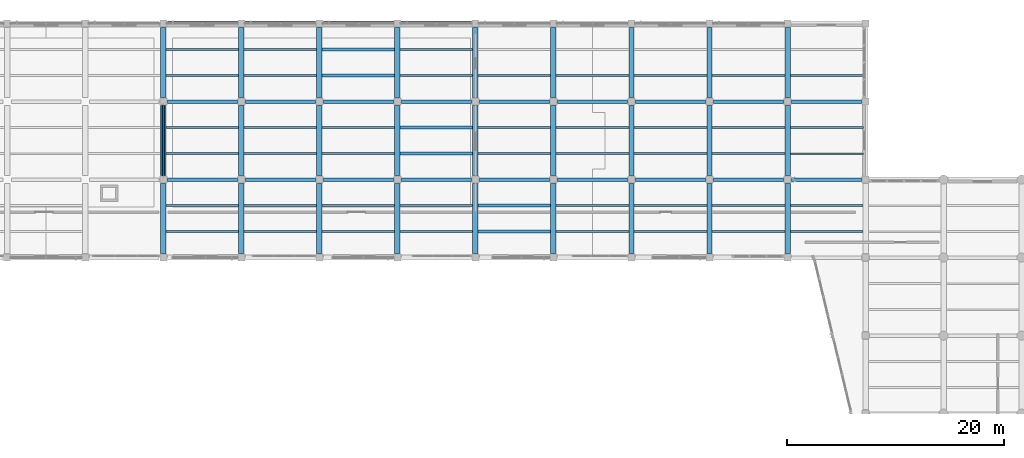
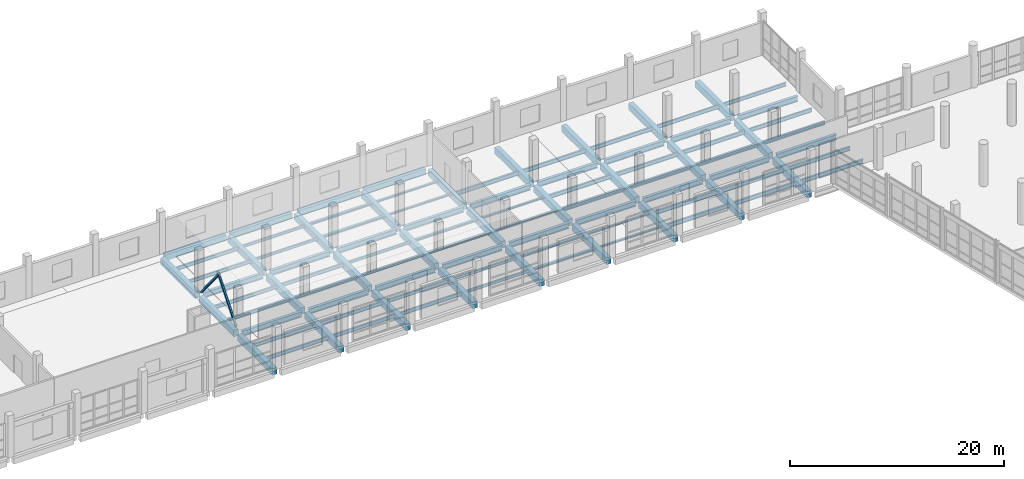
# One storey, part 59 of 127: 98 beams, 2 members.
"""IFC4 building model written with IfcOpenShell, lengths in metres."""

from ifc_helpers import new_model, si_unit, direction, frame, origin, origin_2d, place, context, subcontext, project, spatial, rectangle, hollow_rectangle, i_section, extrude, material, material_profile, profile_set, type_object, element, save


model = new_model("IFC4")

# Units and contexts
model_context = context("Model", 3, precision=1e-05, world=origin(), true_north=direction((0.0, 1.0)))
body_context = subcontext(model_context, "Body", "Model", "MODEL_VIEW")
ifc_project = project(units=[si_unit("LENGTHUNIT", "METRE"), si_unit("AREAUNIT", "SQUARE_METRE"), si_unit("VOLUMEUNIT", "CUBIC_METRE"), si_unit("PLANEANGLEUNIT", "RADIAN"), si_unit("MASSUNIT", "GRAM", prefix="KILO")], contexts=[model_context])

# Site, building, storey
site_placement = place(None, origin())
site = spatial("IfcSite", under=ifc_project, at=site_placement, CompositionType="ELEMENT")
building_placement = place(site_placement, origin())
building = spatial("IfcBuilding", under=site, at=building_placement, Name="Kalmorath City Hall", CompositionType="ELEMENT")
storey_placement = place(building_placement, frame((0.0, 0.0, 5.39990234375)))
storey = spatial("IfcBuildingStorey", under=building, at=storey_placement, Name="L01", CompositionType="ELEMENT", Elevation=5.39990234375)

# Beams
ifc_material_1 = material(Name="Concrete C40/50", Category="concrete")
ifc_material_profile_1 = material_profile(ifc_material_1, rectangle(XDim=0.5, YDim=0.75, at=origin_2d()), Name="RC-BM-500X750")
ifc_profile_set_1 = profile_set([ifc_material_profile_1], Name="Concrete C40/50")
beam_type_1 = type_object("IfcBeamType", Name="Concrete floor beam 500x750", PredefinedType="BEAM", material=ifc_profile_set_1)
for number, where, z_axis, x_axis, name in (
    (1, (64.800048828125, 93.97509765625, -0.698974609375), (0.0, 1.0, 0.0), (-1.0, 0.0, 0.0), "L01 girder CB3 Y10/14-15"),
    (2, (64.800048828125, 101.175048828125, -0.698974609375), (0.0, 1.0, 0.0), (-1.0, 0.0, 0.0), "L01 girder CB3 Y10/15-16"),
    (3, (64.800048828125, 108.375, -0.698974609375), (0.0, 1.0, 0.0), (-1.0, 0.0, 0.0), "L01 girder CB3 Y10/16-17"),
    (4, (72.0, 93.97509765625, -0.698974609375), (0.0, 1.0, 0.0), (-1.0, 0.0, 0.0), "L01 girder CB3 Y11/14-15"),
    (5, (72.0, 101.175048828125, -0.698974609375), (0.0, 1.0, 0.0), (-1.0, 0.0, 0.0), "L01 girder CB3 Y11/15-16"),
    (6, (72.0, 108.375, -0.698974609375), (0.0, 1.0, 0.0), (-1.0, 0.0, 0.0), "L01 girder CB3 Y11/16-17"),
    (7, (79.199951171875, 93.97509765625, -0.698974609375), (0.0, 1.0, 0.0), (-1.0, 0.0, 0.0), "L01 girder CB3 Y12/14-15"),
    (8, (79.199951171875, 101.175048828125, -0.698974609375), (0.0, 1.0, 0.0), (-1.0, 0.0, 0.0), "L01 girder CB3 Y12/15-16"),
    (9, (79.199951171875, 108.375, -0.698974609375), (0.0, 1.0, 0.0), (-1.0, 0.0, 0.0), "L01 girder CB3 Y12/16-17"),
    (10, (86.39990234375, 93.97509765625, -0.698974609375), (0.0, 1.0, 0.0), (-1.0, 0.0, 0.0), "L01 girder CB3 Y13/14-15"),
    (11, (86.39990234375, 101.175048828125, -0.698974609375), (0.0, 1.0, 0.0), (-1.0, 0.0, 0.0), "L01 girder CB3 Y13/15-16"),
    (12, (86.39990234375, 108.375, -0.698974609375), (0.0, 1.0, 0.0), (-1.0, 0.0, 0.0), "L01 girder CB3 Y13/16-17"),
    (13, (93.60009765625, 93.97509765625, -0.698974609375), (0.0, 1.0, 0.0), (-1.0, 0.0, 0.0), "L01 girder CB3 Y14/14-15"),
    (14, (93.60009765625, 101.175048828125, -0.698974609375), (0.0, 1.0, 0.0), (-1.0, 0.0, 0.0), "L01 girder CB3 Y14/15-16"),
    (15, (93.60009765625, 108.375, -0.698974609375), (0.0, 1.0, 0.0), (-1.0, 0.0, 0.0), "L01 girder CB3 Y14/16-17"),
    (16, (100.800048828125, 93.97509765625, -0.698974609375), (0.0, 1.0, 0.0), (-1.0, 0.0, 0.0), "L01 girder CB3 Y15/14-15"),
    (17, (100.800048828125, 101.175048828125, -0.698974609375), (0.0, 1.0, 0.0), (-1.0, 0.0, 0.0), "L01 girder CB3 Y15/15-16"),
    (18, (100.800048828125, 108.375, -0.698974609375), (0.0, 1.0, 0.0), (-1.0, 0.0, 0.0), "L01 girder CB3 Y15/16-17"),
    (19, (108.0, 93.97509765625, -0.698974609375), (0.0, 1.0, 0.0), (-1.0, 0.0, 0.0), "L01 girder CB3 Y16/14-15"),
    (20, (108.0, 101.175048828125, -0.698974609375), (0.0, 1.0, 0.0), (-1.0, 0.0, 0.0), "L01 girder CB3 Y16/15-16"),
    (21, (108.0, 108.375, -0.698974609375), (0.0, 1.0, 0.0), (-1.0, 0.0, 0.0), "L01 girder CB3 Y16/16-17"),
    (22, (115.199951171875, 93.97509765625, -0.698974609375), (0.0, 1.0, 0.0), (-1.0, 0.0, 0.0), "L01 girder CB3 Y17/14-15"),
    (23, (115.199951171875, 101.175048828125, -0.698974609375), (0.0, 1.0, 0.0), (-1.0, 0.0, 0.0), "L01 girder CB3 Y17/15-16"),
    (24, (115.199951171875, 108.375, -0.698974609375), (0.0, 1.0, 0.0), (-1.0, 0.0, 0.0), "L01 girder CB3 Y17/16-17"),
    (25, (122.39990234375, 93.97509765625, -0.698974609375), (0.0, 1.0, 0.0), (-1.0, 0.0, 0.0), "L01 girder CB3 Y18/14-15"),
    (26, (122.39990234375, 101.175048828125, -0.698974609375), (0.0, 1.0, 0.0), (-1.0, 0.0, 0.0), "L01 girder CB3 Y18/15-16"),
    (27, (122.39990234375, 108.375, -0.698974609375), (0.0, 1.0, 0.0), (-1.0, 0.0, 0.0), "L01 girder CB3 Y18/16-17"),
):
    element("IfcBeam", number, at=place(storey_placement, frame(where, z_axis=z_axis, x_axis=x_axis)), inside=storey, type_object=beam_type_1, Name=name, PredefinedType="BEAM", context=body_context, shape_type="SweptSolid", body=[
        extrude(rectangle(XDim=0.5, YDim=0.75, at=origin_2d()), origin(), (0.0, 0.0, 1.0), 6.449951171875),
    ])
ifc_material_2 = material(Name="Concrete C40/50", Category="concrete")
ifc_material_profile_2 = material_profile(ifc_material_2, rectangle(XDim=0.449951171875, YDim=0.64990234375, at=origin_2d()), Name="RC-BM-450X650")
ifc_profile_set_2 = profile_set([ifc_material_profile_2], Name="Concrete C40/50")
beam_type_2 = type_object("IfcBeamType", Name="Concrete spandrel beam 450x650", PredefinedType="SPANDREL", material=ifc_profile_set_2)
for number, where, z_axis, x_axis, name in (
    (28, (65.175048828125, 115.199951171875, -0.64892578125), (1.0, 0.0, 0.0), (0.0, 1.0, 0.0), "L01 girder CB5 X10-11/17"),
    (29, (72.25, 115.199951171875, -0.64892578125), (1.0, 0.0, 0.0), (0.0, 1.0, 0.0), "L01 girder CB5 X11-12/17"),
    (30, (79.574951171875, 115.199951171875, -0.64892578125), (1.0, 0.0, 0.0), (0.0, 1.0, 0.0), "L01 girder CB5 X12-13/17"),
):
    element("IfcBeam", number, at=place(storey_placement, frame(where, z_axis=z_axis, x_axis=x_axis)), inside=storey, type_object=beam_type_2, Name=name, PredefinedType="SPANDREL", context=body_context, shape_type="SweptSolid", body=[
        extrude(rectangle(XDim=0.449951171875, YDim=0.64990234375, at=origin_2d()), origin(), (0.0, 0.0, 1.0), 6.574951171875),
    ])
beam_1_placement = place(storey_placement, frame((86.64990234375, 115.199951171875, -0.64892578125), z_axis=(1.0, 0.0, 0.0), x_axis=(0.0, 1.0, 0.0)))
element("IfcBeam", 31, at=beam_1_placement, inside=storey, type_object=beam_type_2, Name="L01 girder CB5 X13-14/17", PredefinedType="SPANDREL", context=body_context, shape_type="SweptSolid", body=[
    extrude(rectangle(XDim=0.449951171875, YDim=0.64990234375, at=origin_2d()), origin(), (0.0, 0.0, 1.0), 6.5751953125),
])
ifc_material_3 = material(Name="Steel ASTM A992 Grade 50", Category="steel")
ifc_material_profile_3 = material_profile(ifc_material_3, i_section(OverallWidth=0.177001953125, OverallDepth=0.403076171875, WebThickness=0.007568359375, FlangeThickness=0.010986328125, FilletRadius=0.012939453125, at=origin_2d()), Name="W16X36")
ifc_profile_set_3 = profile_set([ifc_material_profile_3], Name="Steel ASTM A992 Grade 50")
beam_type_3 = type_object("IfcBeamType", Name="Steel composite joist W16X36", PredefinedType="JOIST", material=ifc_profile_set_3)
for number, where, z_axis, x_axis, name in (
    (32, (65.050048828125, 110.39990234375, -0.525390625), (1.0, 0.0, 0.0), (0.0, 1.0, 0.0), "L01 joist SJ7 10.16.1"),
    (33, (65.050048828125, 112.800048828125, -0.525390625), (1.0, 0.0, 0.0), (0.0, 1.0, 0.0), "L01 joist SJ7 10.16.2"),
    (34, (72.25, 103.199951171875, -0.525390625), (1.0, 0.0, 0.0), (0.0, 1.0, 0.0), "L01 joist SJ7 11.15.1"),
    (35, (72.25, 105.60009765625, -0.525390625), (1.0, 0.0, 0.0), (0.0, 1.0, 0.0), "L01 joist SJ7 11.15.2"),
    (36, (79.449951171875, 96.0, -0.525390625), (1.0, 0.0, 0.0), (0.0, 1.0, 0.0), "L01 joist SJ7 12.14.1"),
    (37, (79.449951171875, 98.39990234375, -0.525390625), (1.0, 0.0, 0.0), (0.0, 1.0, 0.0), "L01 joist SJ7 12.14.2"),
):
    element("IfcBeam", number, at=place(storey_placement, frame(where, z_axis=z_axis, x_axis=x_axis)), inside=storey, type_object=beam_type_3, Name=name, PredefinedType="JOIST", context=body_context, shape_type="SweptSolid", body=[
        extrude(i_section(OverallWidth=0.177001953125, OverallDepth=0.403076171875, WebThickness=0.007568359375, FlangeThickness=0.010986328125, FilletRadius=0.012939453125, at=origin_2d()), origin(), (0.0, 0.0, 1.0), 6.699951171875),
    ])
ifc_material_4 = material(Name="Steel ASTM A992 Grade 50", Category="steel")
ifc_material_profile_4 = material_profile(ifc_material_4, i_section(OverallWidth=0.178955078125, OverallDepth=0.409912109375, WebThickness=0.0087890625, FlangeThickness=0.014404296875, FilletRadius=0.012939453125, at=origin_2d()), Name="W16X45")
ifc_profile_set_4 = profile_set([ifc_material_profile_4], Name="Steel ASTM A992 Grade 50")
beam_type_4 = type_object("IfcBeamType", Name="Steel composite joist W16X45", PredefinedType="JOIST", material=ifc_profile_set_4)
for number, where, z_axis, x_axis, name in (
    (38, (65.050048828125, 103.199951171875, -0.52880859375), (1.0, 0.0, 0.0), (0.0, 1.0, 0.0), "L01 joist SJ6 10.15.1"),
    (39, (65.050048828125, 105.60009765625, -0.52880859375), (1.0, 0.0, 0.0), (0.0, 1.0, 0.0), "L01 joist SJ6 10.15.2"),
    (40, (72.25, 96.0, -0.52880859375), (1.0, 0.0, 0.0), (0.0, 1.0, 0.0), "L01 joist SJ6 11.14.1"),
    (41, (72.25, 98.39990234375, -0.52880859375), (1.0, 0.0, 0.0), (0.0, 1.0, 0.0), "L01 joist SJ6 11.14.2"),
):
    element("IfcBeam", number, at=place(storey_placement, frame(where, z_axis=z_axis, x_axis=x_axis)), inside=storey, type_object=beam_type_4, Name=name, PredefinedType="JOIST", context=body_context, shape_type="SweptSolid", body=[
        extrude(i_section(OverallWidth=0.178955078125, OverallDepth=0.409912109375, WebThickness=0.0087890625, FlangeThickness=0.014404296875, FilletRadius=0.012939453125, at=origin_2d()), origin(), (0.0, 0.0, 1.0), 6.699951171875),
    ])
ifc_material_5 = material(Name="Steel ASTM A992 Grade 50", Category="steel")
ifc_material_profile_5 = material_profile(ifc_material_5, i_section(OverallWidth=0.180908203125, OverallDepth=0.4169921875, WebThickness=0.010986328125, FlangeThickness=0.018310546875, FilletRadius=0.012939453125, at=origin_2d()), Name="W16X57")
ifc_profile_set_5 = profile_set([ifc_material_profile_5], Name="Steel ASTM A992 Grade 50")
beam_type_5 = type_object("IfcBeamType", Name="Steel composite joist W16X57", PredefinedType="JOIST", material=ifc_profile_set_5)
for number, where, z_axis, x_axis, name in (
    (42, (65.050048828125, 96.0, -0.532470703125), (1.0, 0.0, 0.0), (0.0, 1.0, 0.0), "L01 joist SJ5 10.14.1"),
    (43, (65.050048828125, 98.39990234375, -0.532470703125), (1.0, 0.0, 0.0), (0.0, 1.0, 0.0), "L01 joist SJ5 10.14.2"),
):
    element("IfcBeam", number, at=place(storey_placement, frame(where, z_axis=z_axis, x_axis=x_axis)), inside=storey, type_object=beam_type_5, Name=name, PredefinedType="JOIST", context=body_context, shape_type="SweptSolid", body=[
        extrude(i_section(OverallWidth=0.180908203125, OverallDepth=0.4169921875, WebThickness=0.010986328125, FlangeThickness=0.018310546875, FilletRadius=0.012939453125, at=origin_2d()), origin(), (0.0, 0.0, 1.0), 6.699951171875),
    ])
beam_2_placement = place(storey_placement, frame((122.64990234375, 110.39990234375, -0.532470703125), z_axis=(1.0, 0.0, 0.0), x_axis=(0.0, 1.0, 0.0)))
element("IfcBeam", 44, at=beam_2_placement, inside=storey, type_object=beam_type_5, Name="L01 joist SJ5 18.16.1", PredefinedType="JOIST", context=body_context, shape_type="SweptSolid", body=[
    extrude(i_section(OverallWidth=0.180908203125, OverallDepth=0.4169921875, WebThickness=0.010986328125, FlangeThickness=0.018310546875, FilletRadius=0.012939453125, at=origin_2d()), origin(), (0.0, 0.0, 1.0), 6.75),
])
ifc_material_6 = material(Name="Steel ASTM A992 Grade 50", Category="steel")
ifc_material_profile_6 = material_profile(ifc_material_6, i_section(OverallWidth=0.153076171875, OverallDepth=0.455078125, WebThickness=0.008056640625, FlangeThickness=0.01318359375, FilletRadius=0.013916015625, at=origin_2d()), Name="W18X40")
ifc_profile_set_6 = profile_set([ifc_material_profile_6], Name="Steel ASTM A992 Grade 50")
beam_type_6 = type_object("IfcBeamType", Name="Steel composite joist W18X40", PredefinedType="JOIST", material=ifc_profile_set_6)
beam_3_placement = place(storey_placement, frame((115.449951171875, 110.39990234375, -0.551513671875), z_axis=(1.0, 0.0, 0.0), x_axis=(0.0, 1.0, 0.0)))
element("IfcBeam", 45, at=beam_3_placement, inside=storey, type_object=beam_type_6, Name="L01 joist SJ4 17.16.1", PredefinedType="JOIST", context=body_context, shape_type="SweptSolid", body=[
    extrude(i_section(OverallWidth=0.153076171875, OverallDepth=0.455078125, WebThickness=0.008056640625, FlangeThickness=0.01318359375, FilletRadius=0.013916015625, at=origin_2d()), origin(), (0.0, 0.0, 1.0), 6.699951171875),
])
for number, where, z_axis, x_axis, name in (
    (46, (122.64990234375, 103.199951171875, -0.551513671875), (1.0, 0.0, 0.0), (0.0, 1.0, 0.0), "L01 joist SJ4 18.15.1"),
    (47, (122.64990234375, 105.60009765625, -0.551513671875), (1.0, 0.0, 0.0), (0.0, 1.0, 0.0), "L01 joist SJ4 18.15.2"),
):
    element("IfcBeam", number, at=place(storey_placement, frame(where, z_axis=z_axis, x_axis=x_axis)), inside=storey, type_object=beam_type_6, Name=name, PredefinedType="JOIST", context=body_context, shape_type="SweptSolid", body=[
        extrude(i_section(OverallWidth=0.153076171875, OverallDepth=0.455078125, WebThickness=0.008056640625, FlangeThickness=0.01318359375, FilletRadius=0.013916015625, at=origin_2d()), origin(), (0.0, 0.0, 1.0), 6.75),
    ])
ifc_material_7 = material(Name="Steel ASTM A992 Grade 50", Category="steel")
ifc_material_profile_7 = material_profile(ifc_material_7, i_section(OverallWidth=0.19091796875, OverallDepth=0.45703125, WebThickness=0.009033203125, FlangeThickness=0.014404296875, FilletRadius=0.013916015625, at=origin_2d()), Name="W18X50")
ifc_profile_set_7 = profile_set([ifc_material_profile_7], Name="Steel ASTM A992 Grade 50")
beam_type_7 = type_object("IfcBeamType", Name="Steel composite joist W18X50", PredefinedType="JOIST", material=ifc_profile_set_7)
for number, where, z_axis, x_axis, name in (
    (48, (108.25, 110.39990234375, -0.552490234375), (1.0, 0.0, 0.0), (0.0, 1.0, 0.0), "L01 joist SJ3 16.16.1"),
    (49, (115.449951171875, 103.199951171875, -0.552490234375), (1.0, 0.0, 0.0), (0.0, 1.0, 0.0), "L01 joist SJ3 17.15.1"),
    (50, (115.449951171875, 105.60009765625, -0.552490234375), (1.0, 0.0, 0.0), (0.0, 1.0, 0.0), "L01 joist SJ3 17.15.2"),
):
    element("IfcBeam", number, at=place(storey_placement, frame(where, z_axis=z_axis, x_axis=x_axis)), inside=storey, type_object=beam_type_7, Name=name, PredefinedType="JOIST", context=body_context, shape_type="SweptSolid", body=[
        extrude(i_section(OverallWidth=0.19091796875, OverallDepth=0.45703125, WebThickness=0.009033203125, FlangeThickness=0.014404296875, FilletRadius=0.013916015625, at=origin_2d()), origin(), (0.0, 0.0, 1.0), 6.699951171875),
    ])
for number, where, z_axis, x_axis, name in (
    (51, (122.64990234375, 96.0, -0.552490234375), (1.0, 0.0, 0.0), (0.0, 1.0, 0.0), "L01 joist SJ3 18.14.1"),
    (52, (122.64990234375, 98.39990234375, -0.552490234375), (1.0, 0.0, 0.0), (0.0, 1.0, 0.0), "L01 joist SJ3 18.14.2"),
):
    element("IfcBeam", number, at=place(storey_placement, frame(where, z_axis=z_axis, x_axis=x_axis)), inside=storey, type_object=beam_type_7, Name=name, PredefinedType="JOIST", context=body_context, shape_type="SweptSolid", body=[
        extrude(i_section(OverallWidth=0.19091796875, OverallDepth=0.45703125, WebThickness=0.009033203125, FlangeThickness=0.014404296875, FilletRadius=0.013916015625, at=origin_2d()), origin(), (0.0, 0.0, 1.0), 6.7001953125),
    ])
ifc_material_8 = material(Name="Steel ASTM A992 Grade 50", Category="steel")
ifc_material_profile_8 = material_profile(ifc_material_8, i_section(OverallWidth=0.19091796875, OverallDepth=0.4599609375, WebThickness=0.010009765625, FlangeThickness=0.01611328125, FilletRadius=0.013916015625, at=origin_2d()), Name="W18X55")
ifc_profile_set_8 = profile_set([ifc_material_profile_8], Name="Steel ASTM A992 Grade 50")
beam_type_8 = type_object("IfcBeamType", Name="Steel composite joist W18X55", PredefinedType="JOIST", material=ifc_profile_set_8)
for number, where, z_axis, x_axis, name in (
    (53, (101.050048828125, 110.39990234375, -0.553955078125), (1.0, 0.0, 0.0), (0.0, 1.0, 0.0), "L01 joist SJ2 15.16.1"),
    (54, (108.25, 103.199951171875, -0.553955078125), (1.0, 0.0, 0.0), (0.0, 1.0, 0.0), "L01 joist SJ2 16.15.1"),
    (55, (108.25, 105.60009765625, -0.553955078125), (1.0, 0.0, 0.0), (0.0, 1.0, 0.0), "L01 joist SJ2 16.15.2"),
    (56, (115.449951171875, 96.0, -0.553955078125), (1.0, 0.0, 0.0), (0.0, 1.0, 0.0), "L01 joist SJ2 17.14.1"),
    (57, (115.449951171875, 98.39990234375, -0.553955078125), (1.0, 0.0, 0.0), (0.0, 1.0, 0.0), "L01 joist SJ2 17.14.2"),
):
    element("IfcBeam", number, at=place(storey_placement, frame(where, z_axis=z_axis, x_axis=x_axis)), inside=storey, type_object=beam_type_8, Name=name, PredefinedType="JOIST", context=body_context, shape_type="SweptSolid", body=[
        extrude(i_section(OverallWidth=0.19091796875, OverallDepth=0.4599609375, WebThickness=0.010009765625, FlangeThickness=0.01611328125, FilletRadius=0.013916015625, at=origin_2d()), origin(), (0.0, 0.0, 1.0), 6.699951171875),
    ])
ifc_material_9 = material(Name="Steel ASTM A992 Grade 50", Category="steel")
ifc_material_profile_9 = material_profile(ifc_material_9, i_section(OverallWidth=0.193115234375, OverallDepth=0.466064453125, WebThickness=0.011474609375, FlangeThickness=0.01904296875, FilletRadius=0.013916015625, at=origin_2d()), Name="W18X65")
ifc_profile_set_9 = profile_set([ifc_material_profile_9], Name="Steel ASTM A992 Grade 50")
beam_type_9 = type_object("IfcBeamType", Name="Steel composite joist W18X65", PredefinedType="JOIST", material=ifc_profile_set_9)
for number, where, z_axis, x_axis, name in (
    (58, (93.85009765625, 110.39990234375, -0.556884765625), (1.0, 0.0, 0.0), (0.0, 1.0, 0.0), "L01 joist SJ1 14.16.1"),
    (59, (101.050048828125, 103.199951171875, -0.556884765625), (1.0, 0.0, 0.0), (0.0, 1.0, 0.0), "L01 joist SJ1 15.15.1"),
    (60, (101.050048828125, 105.60009765625, -0.556884765625), (1.0, 0.0, 0.0), (0.0, 1.0, 0.0), "L01 joist SJ1 15.15.2"),
    (61, (108.25, 96.0, -0.556884765625), (1.0, 0.0, 0.0), (0.0, 1.0, 0.0), "L01 joist SJ1 16.14.1"),
    (62, (108.25, 98.39990234375, -0.556884765625), (1.0, 0.0, 0.0), (0.0, 1.0, 0.0), "L01 joist SJ1 16.14.2"),
):
    element("IfcBeam", number, at=place(storey_placement, frame(where, z_axis=z_axis, x_axis=x_axis)), inside=storey, type_object=beam_type_9, Name=name, PredefinedType="JOIST", context=body_context, shape_type="SweptSolid", body=[
        extrude(i_section(OverallWidth=0.193115234375, OverallDepth=0.466064453125, WebThickness=0.011474609375, FlangeThickness=0.01904296875, FilletRadius=0.013916015625, at=origin_2d()), origin(), (0.0, 0.0, 1.0), 6.699951171875),
    ])
ifc_material_10 = material(Name="Steel ASTM A992 Grade 50", Category="steel")
ifc_material_profile_10 = material_profile(ifc_material_10, i_section(OverallWidth=0.202880859375, OverallDepth=0.202880859375, WebThickness=0.007080078125, FlangeThickness=0.010986328125, FilletRadius=0.010986328125, at=origin_2d()), Name="W8X31")
ifc_profile_set_10 = profile_set([ifc_material_profile_10], Name="Steel ASTM A992 Grade 50")
beam_type_10 = type_object("IfcBeamType", Name="Steel edge trimmer W8X31", PredefinedType="LINTEL", material=ifc_profile_set_10)
for number, where, z_axis, x_axis, name in (
    (63, (86.64990234375, 110.39990234375, -0.42529296875), (1.0, 0.0, 0.0), (0.0, 1.0, 0.0), "L01 joist SJ16 13.16.1"),
    (64, (86.64990234375, 112.800048828125, -0.42529296875), (1.0, 0.0, 0.0), (0.0, 1.0, 0.0), "L01 joist SJ16 13.16.2"),
):
    element("IfcBeam", number, at=place(storey_placement, frame(where, z_axis=z_axis, x_axis=x_axis)), inside=storey, type_object=beam_type_10, Name=name, PredefinedType="LINTEL", context=body_context, shape_type="SweptSolid", body=[
        extrude(i_section(OverallWidth=0.202880859375, OverallDepth=0.202880859375, WebThickness=0.007080078125, FlangeThickness=0.010986328125, FilletRadius=0.010986328125, at=origin_2d()), origin(), (0.0, 0.0, 1.0), 6.7001953125),
    ])
for number, where, z_axis, x_axis, name in (
    (65, (93.85009765625, 103.199951171875, -0.42529296875), (1.0, 0.0, 0.0), (0.0, 1.0, 0.0), "L01 joist SJ16 14.15.1"),
    (66, (93.85009765625, 105.60009765625, -0.42529296875), (1.0, 0.0, 0.0), (0.0, 1.0, 0.0), "L01 joist SJ16 14.15.2"),
    (67, (101.050048828125, 96.0, -0.42529296875), (1.0, 0.0, 0.0), (0.0, 1.0, 0.0), "L01 joist SJ16 15.14.1"),
    (68, (101.050048828125, 98.39990234375, -0.42529296875), (1.0, 0.0, 0.0), (0.0, 1.0, 0.0), "L01 joist SJ16 15.14.2"),
):
    element("IfcBeam", number, at=place(storey_placement, frame(where, z_axis=z_axis, x_axis=x_axis)), inside=storey, type_object=beam_type_10, Name=name, PredefinedType="LINTEL", context=body_context, shape_type="SweptSolid", body=[
        extrude(i_section(OverallWidth=0.202880859375, OverallDepth=0.202880859375, WebThickness=0.007080078125, FlangeThickness=0.010986328125, FilletRadius=0.010986328125, at=origin_2d()), origin(), (0.0, 0.0, 1.0), 6.699951171875),
    ])
ifc_material_11 = material(Name="Steel ASTM A992 Grade 50", Category="steel")
ifc_material_profile_11 = material_profile(ifc_material_11, i_section(OverallWidth=0.323974609375, OverallDepth=0.611083984375, WebThickness=0.0126953125, FlangeThickness=0.01904296875, FilletRadius=0.01611328125, at=origin_2d()), Name="W24X104")
ifc_profile_set_11 = profile_set([ifc_material_profile_11], Name="Steel ASTM A992 Grade 50")
beam_type_11 = type_object("IfcBeamType", Name="Steel floor girder W24X104", PredefinedType="BEAM", material=ifc_profile_set_11)
for number, where, z_axis, x_axis, name in (
    (69, (65.175048828125, 100.800048828125, -0.62939453125), (1.0, 0.0, 0.0), (0.0, 1.0, 0.0), "L01 girder SG7 X10-11/15"),
    (70, (72.375, 100.800048828125, -0.62939453125), (1.0, 0.0, 0.0), (0.0, 1.0, 0.0), "L01 girder SG7 X11-12/15"),
    (71, (79.574951171875, 100.800048828125, -0.62939453125), (1.0, 0.0, 0.0), (0.0, 1.0, 0.0), "L01 girder SG7 X12-13/15"),
):
    element("IfcBeam", number, at=place(storey_placement, frame(where, z_axis=z_axis, x_axis=x_axis)), inside=storey, type_object=beam_type_11, Name=name, PredefinedType="BEAM", context=body_context, shape_type="SweptSolid", body=[
        extrude(i_section(OverallWidth=0.323974609375, OverallDepth=0.611083984375, WebThickness=0.0126953125, FlangeThickness=0.01904296875, FilletRadius=0.01611328125, at=origin_2d()), origin(), (0.0, 0.0, 1.0), 6.449951171875),
    ])
beam_4_placement = place(storey_placement, frame((86.77490234375, 100.800048828125, -0.62939453125), z_axis=(1.0, 0.0, 0.0), x_axis=(0.0, 1.0, 0.0)))
element("IfcBeam", 72, at=beam_4_placement, inside=storey, type_object=beam_type_11, Name="L01 girder SG7 X13-14/15", PredefinedType="BEAM", context=body_context, shape_type="SweptSolid", body=[
    extrude(i_section(OverallWidth=0.323974609375, OverallDepth=0.611083984375, WebThickness=0.0126953125, FlangeThickness=0.01904296875, FilletRadius=0.01611328125, at=origin_2d()), origin(), (0.0, 0.0, 1.0), 6.4501953125),
])
for number, where, z_axis, x_axis, name in (
    (73, (93.97509765625, 100.800048828125, -0.62939453125), (1.0, 0.0, 0.0), (0.0, 1.0, 0.0), "L01 girder SG7 X14-15/15"),
    (74, (101.175048828125, 100.800048828125, -0.62939453125), (1.0, 0.0, 0.0), (0.0, 1.0, 0.0), "L01 girder SG7 X15-16/15"),
    (75, (108.375, 100.800048828125, -0.62939453125), (1.0, 0.0, 0.0), (0.0, 1.0, 0.0), "L01 girder SG7 X16-17/15"),
    (76, (115.574951171875, 100.800048828125, -0.62939453125), (1.0, 0.0, 0.0), (0.0, 1.0, 0.0), "L01 girder SG7 X17-18/15"),
):
    element("IfcBeam", number, at=place(storey_placement, frame(where, z_axis=z_axis, x_axis=x_axis)), inside=storey, type_object=beam_type_11, Name=name, PredefinedType="BEAM", context=body_context, shape_type="SweptSolid", body=[
        extrude(i_section(OverallWidth=0.323974609375, OverallDepth=0.611083984375, WebThickness=0.0126953125, FlangeThickness=0.01904296875, FilletRadius=0.01611328125, at=origin_2d()), origin(), (0.0, 0.0, 1.0), 6.449951171875),
    ])
beam_5_placement = place(storey_placement, frame((122.77490234375, 100.800048828125, -0.62939453125), z_axis=(1.0, 0.0, 0.0), x_axis=(0.0, 1.0, 0.0)))
element("IfcBeam", 77, at=beam_5_placement, inside=storey, type_object=beam_type_11, Name="L01 girder SG7 X18-19/15", PredefinedType="BEAM", context=body_context, shape_type="SweptSolid", body=[
    extrude(i_section(OverallWidth=0.323974609375, OverallDepth=0.611083984375, WebThickness=0.0126953125, FlangeThickness=0.01904296875, FilletRadius=0.01611328125, at=origin_2d()), origin(), (0.0, 0.0, 1.0), 6.4501953125),
])
for number, where, z_axis, x_axis, name in (
    (78, (65.175048828125, 108.0, -0.62939453125), (1.0, 0.0, 0.0), (0.0, 1.0, 0.0), "L01 girder SG7 X10-11/16"),
    (79, (72.375, 108.0, -0.62939453125), (1.0, 0.0, 0.0), (0.0, 1.0, 0.0), "L01 girder SG7 X11-12/16"),
    (80, (79.574951171875, 108.0, -0.62939453125), (1.0, 0.0, 0.0), (0.0, 1.0, 0.0), "L01 girder SG7 X12-13/16"),
):
    element("IfcBeam", number, at=place(storey_placement, frame(where, z_axis=z_axis, x_axis=x_axis)), inside=storey, type_object=beam_type_11, Name=name, PredefinedType="BEAM", context=body_context, shape_type="SweptSolid", body=[
        extrude(i_section(OverallWidth=0.323974609375, OverallDepth=0.611083984375, WebThickness=0.0126953125, FlangeThickness=0.01904296875, FilletRadius=0.01611328125, at=origin_2d()), origin(), (0.0, 0.0, 1.0), 6.449951171875),
    ])
beam_6_placement = place(storey_placement, frame((86.77490234375, 108.0, -0.62939453125), z_axis=(1.0, 0.0, 0.0), x_axis=(0.0, 1.0, 0.0)))
element("IfcBeam", 81, at=beam_6_placement, inside=storey, type_object=beam_type_11, Name="L01 girder SG7 X13-14/16", PredefinedType="BEAM", context=body_context, shape_type="SweptSolid", body=[
    extrude(i_section(OverallWidth=0.323974609375, OverallDepth=0.611083984375, WebThickness=0.0126953125, FlangeThickness=0.01904296875, FilletRadius=0.01611328125, at=origin_2d()), origin(), (0.0, 0.0, 1.0), 6.4501953125),
])
for number, where, z_axis, x_axis, name in (
    (82, (93.97509765625, 108.0, -0.62939453125), (1.0, 0.0, 0.0), (0.0, 1.0, 0.0), "L01 girder SG7 X14-15/16"),
    (83, (101.175048828125, 108.0, -0.62939453125), (1.0, 0.0, 0.0), (0.0, 1.0, 0.0), "L01 girder SG7 X15-16/16"),
    (84, (108.375, 108.0, -0.62939453125), (1.0, 0.0, 0.0), (0.0, 1.0, 0.0), "L01 girder SG7 X16-17/16"),
    (85, (115.574951171875, 108.0, -0.62939453125), (1.0, 0.0, 0.0), (0.0, 1.0, 0.0), "L01 girder SG7 X17-18/16"),
):
    element("IfcBeam", number, at=place(storey_placement, frame(where, z_axis=z_axis, x_axis=x_axis)), inside=storey, type_object=beam_type_11, Name=name, PredefinedType="BEAM", context=body_context, shape_type="SweptSolid", body=[
        extrude(i_section(OverallWidth=0.323974609375, OverallDepth=0.611083984375, WebThickness=0.0126953125, FlangeThickness=0.01904296875, FilletRadius=0.01611328125, at=origin_2d()), origin(), (0.0, 0.0, 1.0), 6.449951171875),
    ])
beam_7_placement = place(storey_placement, frame((122.77490234375, 108.0, -0.62939453125), z_axis=(1.0, 0.0, 0.0), x_axis=(0.0, 1.0, 0.0)))
element("IfcBeam", 86, at=beam_7_placement, inside=storey, type_object=beam_type_11, Name="L01 girder SG7 X18-19/16", PredefinedType="BEAM", context=body_context, shape_type="SweptSolid", body=[
    extrude(i_section(OverallWidth=0.323974609375, OverallDepth=0.611083984375, WebThickness=0.0126953125, FlangeThickness=0.01904296875, FilletRadius=0.01611328125, at=origin_2d()), origin(), (0.0, 0.0, 1.0), 6.4501953125),
])
ifc_material_12 = material(Name="Steel ASTM A992 Grade 50", Category="steel")
ifc_material_profile_12 = material_profile(ifc_material_12, i_section(OverallWidth=0.1669921875, OverallDepth=0.318115234375, WebThickness=0.007568359375, FlangeThickness=0.01318359375, FilletRadius=0.012939453125, at=origin_2d()), Name="W12X35")
ifc_profile_set_12 = profile_set([ifc_material_profile_12], Name="Steel ASTM A992 Grade 50")
beam_type_12 = type_object("IfcBeamType", Name="Steel header lintel W12X35", PredefinedType="LINTEL", material=ifc_profile_set_12)
for number, where, z_axis, x_axis, name in (
    (87, (72.25, 110.39990234375, -0.48291015625), (1.0, 0.0, 0.0), (0.0, 1.0, 0.0), "L01 joist SJ13 11.16.1"),
    (88, (72.25, 112.800048828125, -0.48291015625), (1.0, 0.0, 0.0), (0.0, 1.0, 0.0), "L01 joist SJ13 11.16.2"),
    (89, (79.449951171875, 103.199951171875, -0.48291015625), (1.0, 0.0, 0.0), (0.0, 1.0, 0.0), "L01 joist SJ13 12.15.1"),
    (90, (79.449951171875, 105.60009765625, -0.48291015625), (1.0, 0.0, 0.0), (0.0, 1.0, 0.0), "L01 joist SJ13 12.15.2"),
):
    element("IfcBeam", number, at=place(storey_placement, frame(where, z_axis=z_axis, x_axis=x_axis)), inside=storey, type_object=beam_type_12, Name=name, PredefinedType="LINTEL", context=body_context, shape_type="SweptSolid", body=[
        extrude(i_section(OverallWidth=0.1669921875, OverallDepth=0.318115234375, WebThickness=0.007568359375, FlangeThickness=0.01318359375, FilletRadius=0.012939453125, at=origin_2d()), origin(), (0.0, 0.0, 1.0), 6.699951171875),
    ])
for number, where, z_axis, x_axis, name in (
    (91, (86.64990234375, 96.0, -0.48291015625), (1.0, 0.0, 0.0), (0.0, 1.0, 0.0), "L01 joist SJ13 13.14.1"),
    (92, (86.64990234375, 98.39990234375, -0.48291015625), (1.0, 0.0, 0.0), (0.0, 1.0, 0.0), "L01 joist SJ13 13.14.2"),
):
    element("IfcBeam", number, at=place(storey_placement, frame(where, z_axis=z_axis, x_axis=x_axis)), inside=storey, type_object=beam_type_12, Name=name, PredefinedType="LINTEL", context=body_context, shape_type="SweptSolid", body=[
        extrude(i_section(OverallWidth=0.1669921875, OverallDepth=0.318115234375, WebThickness=0.007568359375, FlangeThickness=0.01318359375, FilletRadius=0.012939453125, at=origin_2d()), origin(), (0.0, 0.0, 1.0), 6.7001953125),
    ])

# Members
ifc_material_13 = material(Name="Steel ASTM A500 Grade C", Category="steel")
ifc_material_profile_13 = material_profile(ifc_material_13, hollow_rectangle(XDim=0.202880859375, YDim=0.202880859375, WallThickness=0.01171875, InnerFilletRadius=0.01171875, OuterFilletRadius=0.023681640625, at=origin_2d()), Name="HSS203X203X12.7")
ifc_profile_set_13 = profile_set([ifc_material_profile_13], Name="Steel ASTM A500 Grade C")
member_type = type_object("IfcMemberType", Name="Steel seismic chevron brace HSS203X203X12.7", PredefinedType="BRACE", material=ifc_profile_set_13)
member_1_placement = place(storey_placement, frame((64.800048828125, 101.125, 0.0), z_axis=(0.0, 0.631595392013, 0.775298175406), x_axis=(-1.0, 0.0, 0.0)))
element("IfcMember", 93, at=member_1_placement, inside=storey, type_object=member_type, Name="L01 chevron brace BR2 4A", PredefinedType="BRACE", context=body_context, shape_type="SweptSolid", body=[
    extrude(hollow_rectangle(XDim=0.202880859375, YDim=0.202880859375, WallThickness=0.01171875, InnerFilletRadius=0.01171875, OuterFilletRadius=0.023681640625, at=origin_2d()), origin(), (0.0, 0.0, 1.0), 5.18505859375),
])
member_2_placement = place(storey_placement, frame((64.800048828125, 107.675048828125, 0.0), z_axis=(0.0, -0.631623692819, 0.775275119341), x_axis=(1.0, 0.0, 0.0)))
element("IfcMember", 94, at=member_2_placement, inside=storey, type_object=member_type, Name="L01 chevron brace BR2 4B", PredefinedType="BRACE", context=body_context, shape_type="SweptSolid", body=[
    extrude(hollow_rectangle(XDim=0.202880859375, YDim=0.202880859375, WallThickness=0.01171875, InnerFilletRadius=0.01171875, OuterFilletRadius=0.023681640625, at=origin_2d()), origin(), (0.0, 0.0, 1.0), 5.185302734375),
])

# Beams
ifc_material_14 = material(Name="Steel ASTM A992 Grade 50", Category="steel")
ifc_material_profile_14 = material_profile(ifc_material_14, i_section(OverallWidth=0.25390625, OverallDepth=0.2529296875, WebThickness=0.008544921875, FlangeThickness=0.01416015625, FilletRadius=0.011962890625, at=origin_2d()), Name="W10X49")
ifc_profile_set_14 = profile_set([ifc_material_profile_14], Name="Steel ASTM A992 Grade 50")
beam_type_13 = type_object("IfcBeamType", Name="Steel trimmer beam W10X49", PredefinedType="BEAM", material=ifc_profile_set_14)
for number, where, z_axis, x_axis, name in (
    (95, (79.449951171875, 110.39990234375, -0.450439453125), (1.0, 0.0, 0.0), (0.0, 1.0, 0.0), "L01 joist SJ14 12.16.1"),
    (96, (79.449951171875, 112.800048828125, -0.450439453125), (1.0, 0.0, 0.0), (0.0, 1.0, 0.0), "L01 joist SJ14 12.16.2"),
):
    element("IfcBeam", number, at=place(storey_placement, frame(where, z_axis=z_axis, x_axis=x_axis)), inside=storey, type_object=beam_type_13, Name=name, PredefinedType="BEAM", context=body_context, shape_type="SweptSolid", body=[
        extrude(i_section(OverallWidth=0.25390625, OverallDepth=0.2529296875, WebThickness=0.008544921875, FlangeThickness=0.01416015625, FilletRadius=0.011962890625, at=origin_2d()), origin(), (0.0, 0.0, 1.0), 6.699951171875),
    ])
for number, where, z_axis, x_axis, name in (
    (97, (86.64990234375, 103.199951171875, -0.450439453125), (1.0, 0.0, 0.0), (0.0, 1.0, 0.0), "L01 joist SJ14 13.15.1"),
    (98, (86.64990234375, 105.60009765625, -0.450439453125), (1.0, 0.0, 0.0), (0.0, 1.0, 0.0), "L01 joist SJ14 13.15.2"),
):
    element("IfcBeam", number, at=place(storey_placement, frame(where, z_axis=z_axis, x_axis=x_axis)), inside=storey, type_object=beam_type_13, Name=name, PredefinedType="BEAM", context=body_context, shape_type="SweptSolid", body=[
        extrude(i_section(OverallWidth=0.25390625, OverallDepth=0.2529296875, WebThickness=0.008544921875, FlangeThickness=0.01416015625, FilletRadius=0.011962890625, at=origin_2d()), origin(), (0.0, 0.0, 1.0), 6.7001953125),
    ])
for number, where, z_axis, x_axis, name in (
    (99, (93.85009765625, 96.0, -0.450439453125), (1.0, 0.0, 0.0), (0.0, 1.0, 0.0), "L01 joist SJ14 14.14.1"),
    (100, (93.85009765625, 98.39990234375, -0.450439453125), (1.0, 0.0, 0.0), (0.0, 1.0, 0.0), "L01 joist SJ14 14.14.2"),
):
    element("IfcBeam", number, at=place(storey_placement, frame(where, z_axis=z_axis, x_axis=x_axis)), inside=storey, type_object=beam_type_13, Name=name, PredefinedType="BEAM", context=body_context, shape_type="SweptSolid", body=[
        extrude(i_section(OverallWidth=0.25390625, OverallDepth=0.2529296875, WebThickness=0.008544921875, FlangeThickness=0.01416015625, FilletRadius=0.011962890625, at=origin_2d()), origin(), (0.0, 0.0, 1.0), 6.699951171875),
    ])

save(model, "model.ifc")
